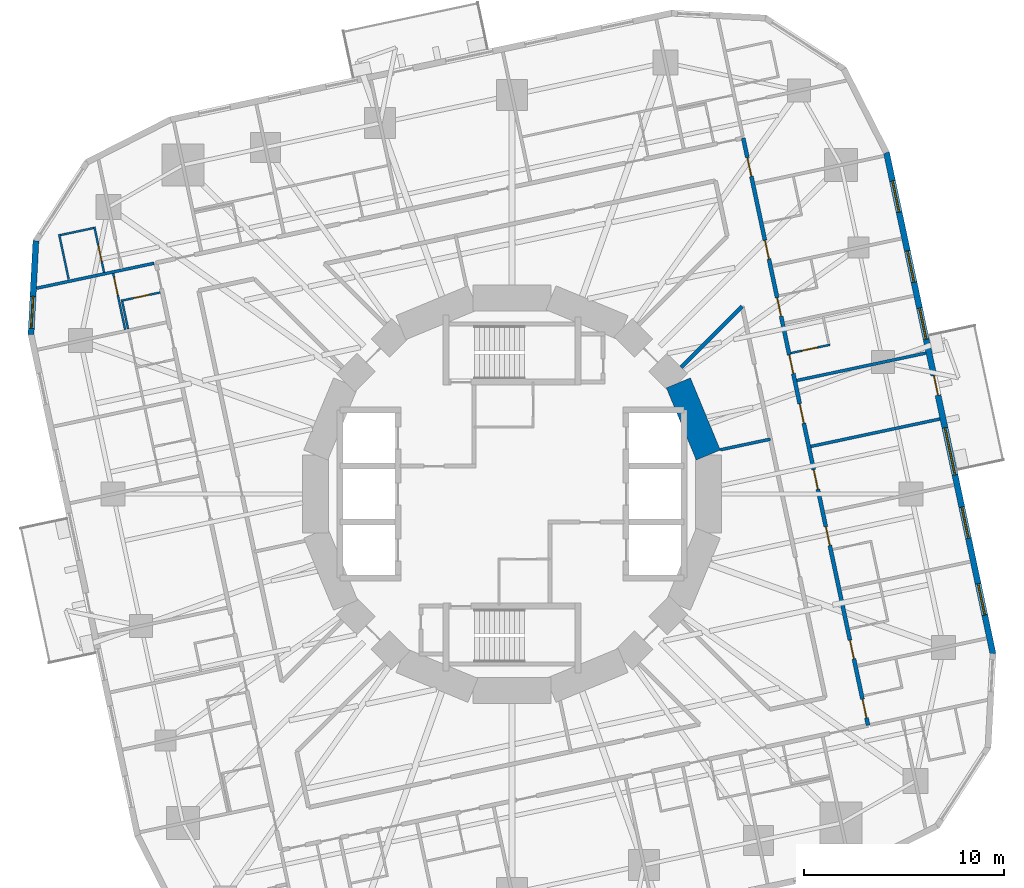
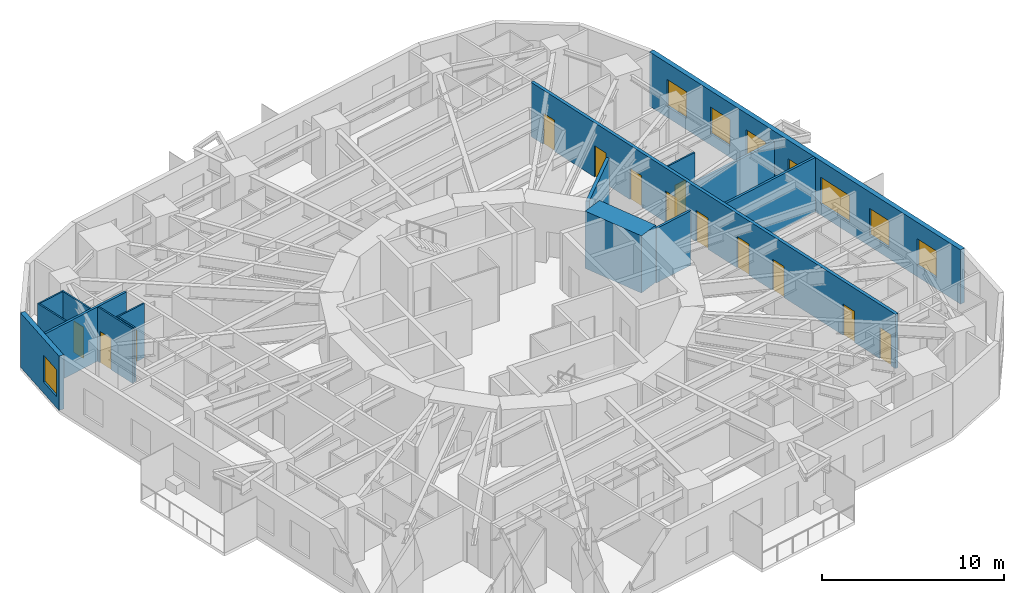
# One storey, part 9 of 14: 16 walls, 14 doors, 7 windows, 21 openings.
"""IFC4 building model written with IfcOpenShell, lengths in metres."""

import ifcopenshell
import ifcopenshell.guid

model = None  # the IFC model being written
_history = None  # IfcOwnerHistory: only IFC2X3 demands one
_inside = {}  # id of a spatial element -> (the spatial element, [elements in it])
_under = {}  # id of a project, library or spatial element -> (it, [spatial elements below it])
_declared = {}  # id of a project -> (the project, [libraries it declares])
_typed = {}  # id of a type object -> (the type object, [elements of that type])
_made_of = {}  # id of a material, layer set ... -> (it, [elements and type objects made of it])


def new_model(schema):
    """Start an empty IFC model of exactly this schema.

    Asked for "IFC4X3", IfcOpenShell would pick the latest addendum, in which some entities
    have other attributes; the version numbers below select the first issue.
    IFC2X3 requires an IfcOwnerHistory on every rooted entity: one is made here for all.
    """
    global model, _history
    if schema == "IFC4X3":
        model = ifcopenshell.file(schema_version=(4, 3, 0, 0))
    else:
        model = ifcopenshell.file(schema=schema)
    _inside.clear()
    _under.clear()
    _declared.clear()
    _typed.clear()
    _made_of.clear()
    _history = None
    if model.schema == "IFC2X3":
        org = make("IfcOrganization", Name="unknown")
        user = make(
            "IfcPersonAndOrganization",
            ThePerson=make("IfcPerson", FamilyName="unknown"),
            TheOrganization=org,
        )
        app = make(
            "IfcApplication",
            ApplicationDeveloper=org,
            Version="unknown",
            ApplicationFullName="unknown",
            ApplicationIdentifier="unknown",
        )
        _history = make(
            "IfcOwnerHistory",
            OwningUser=user,
            OwningApplication=app,
            ChangeAction="ADDED",
            CreationDate=0,
        )
    return model


def make(cls, **values):
    """One entity of the class cls with the attributes given. An attribute that is None is left unset."""
    return model.create_entity(
        cls, **{name: value for name, value in values.items() if value is not None}
    )


def rooted(cls, **values):
    """An entity with a GlobalId (a new one), such as an element, a storey or a relation."""
    return make(cls, GlobalId=ifcopenshell.guid.new(), OwnerHistory=_history, **values)


def si_unit(unit_type, name, prefix=None):
    """IfcSIUnit, for example si_unit("LENGTHUNIT", "METRE", prefix="MILLI")."""
    return make("IfcSIUnit", UnitType=unit_type, Prefix=prefix, Name=name)


def assignment(units):
    """IfcUnitAssignment: the units of a project."""
    return None if units is None else make("IfcUnitAssignment", Units=units)


def point(xyz):
    """IfcCartesianPoint."""
    return None if xyz is None else make("IfcCartesianPoint", Coordinates=xyz)


def direction(xyz):
    """IfcDirection."""
    return None if xyz is None else make("IfcDirection", DirectionRatios=xyz)


def frame(location, z_axis=None, x_axis=None):
    """IfcAxis2Placement3D, a coordinate frame: its origin and axes. An axis left out is left unset."""
    return make(
        "IfcAxis2Placement3D",
        Location=point(location),
        Axis=direction(z_axis),
        RefDirection=direction(x_axis),
    )


def frame_2d(location, x_axis=None):
    """IfcAxis2Placement2D, a coordinate frame in the plane: its origin and x axis."""
    return make(
        "IfcAxis2Placement2D", Location=point(location), RefDirection=direction(x_axis)
    )


def origin():
    """The frame at (0, 0, 0) with its axes left unset."""
    return frame((0.0, 0.0, 0.0))


def place(relative_to, where):
    """IfcLocalPlacement: puts the frame where relative to a parent placement (None: the world)."""
    return make(
        "IfcLocalPlacement", PlacementRelTo=relative_to, RelativePlacement=where
    )


def context(
    kind, dimensions, precision=None, world=None, true_north=None, identifier=None
):
    """IfcGeometricRepresentationContext, for example the 3D "Model" context."""
    return make(
        "IfcGeometricRepresentationContext",
        ContextIdentifier=identifier,
        ContextType=kind,
        CoordinateSpaceDimension=dimensions,
        Precision=precision,
        WorldCoordinateSystem=world,
        TrueNorth=true_north,
    )


def subcontext(parent, identifier, kind, view, scale=None):
    """IfcGeometricRepresentationSubContext, for example "Body" below "Model"."""
    return make(
        "IfcGeometricRepresentationSubContext",
        ContextIdentifier=identifier,
        ContextType=kind,
        ParentContext=parent,
        TargetScale=scale,
        TargetView=view,
    )


def project(units=None, contexts=None):
    """IfcProject with its units and contexts."""
    return rooted(
        "IfcProject",
        Name="project",
        RepresentationContexts=contexts,
        UnitsInContext=assignment(units),
    )


def spatial(cls, under=None, at=None, **own):
    """A site, building, storey or space (cls), placed at a placement, below another one or the project."""
    s = rooted(cls, ObjectPlacement=at, **own)
    if under is not None:
        _under.setdefault(under.id(), (under, []))[1].append(s)
    return s


def profile(cls, at=None, kind="AREA", **sizes):
    """A parametric profile (cls). Its sizes go by their IFC names, for example OverallWidth=200.0."""
    return make(cls, ProfileType=kind, Position=at, **sizes)


def rectangle(**sizes):
    """IfcRectangleProfileDef."""
    return profile("IfcRectangleProfileDef", **sizes)


def extrude(swept, where, along, depth):
    """IfcExtrudedAreaSolid: the profile swept, set in the frame where, extruded along a direction by depth."""
    return make(
        "IfcExtrudedAreaSolid",
        SweptArea=swept,
        Position=where,
        ExtrudedDirection=direction(along),
        Depth=depth,
    )


def shape(context_of_items, identifier, shape_type, items):
    """IfcShapeRepresentation: the items that make up one representation, for example the "Body"."""
    return make(
        "IfcShapeRepresentation",
        ContextOfItems=context_of_items,
        RepresentationIdentifier=identifier,
        RepresentationType=shape_type,
        Items=items,
    )


def material(Name=None, Category=None):
    """IfcMaterial."""
    return make("IfcMaterial", Name=Name, Category=Category)


def layer(
    of_material, thickness, ventilated=None, Name=None, Category=None, Priority=None
):
    """IfcMaterialLayer: one layer of a wall or slab, of a material (None: an air gap)."""
    return make(
        "IfcMaterialLayer",
        Material=of_material,
        LayerThickness=thickness,
        IsVentilated=ventilated,
        Name=Name,
        Category=Category,
        Priority=Priority,
    )


def layer_set(layers, Name=None):
    """IfcMaterialLayerSet."""
    return make("IfcMaterialLayerSet", MaterialLayers=layers, LayerSetName=Name)


def made_of(thing, what):
    """Note that an element or type object is made of a material, layer set ...; save() writes the relation."""
    if what is not None:
        _made_of.setdefault(what.id(), (what, []))[1].append(thing)
    return thing


def type_object(cls, material=None, **own):
    """A type object (cls), such as IfcWallType, which elements share."""
    return made_of(rooted(cls, **own), material)


def element(
    cls,
    number,
    at=None,
    inside=None,
    cuts=None,
    type_object=None,
    material=None,
    context=None,
    identifier="Body",
    shape_type=None,
    held_by="IfcProductDefinitionShape",
    body=None,
    shapes=None,
    **own,
):
    """One element of the class cls, such as IfcWall. Its Tag is "e" and its number.

    at: its placement. inside: the storey or other place that contains it. cuts: it is an
    opening in that element (IfcRelVoidsElement). A single representation is given by context,
    identifier, shape_type and body (its items); several are given by shapes. held_by: the class
    of the entity that holds the representations. save() writes the other relations.
    """
    e = rooted(cls, Tag="e%d" % number, ObjectPlacement=at, **own)
    if body is not None:
        shapes = [shape(context, identifier, shape_type, body)]
    if shapes is not None:
        e.Representation = make(held_by, Representations=shapes)
    if inside is not None:
        _inside.setdefault(inside.id(), (inside, []))[1].append(e)
    if cuts is not None:
        rooted(
            "IfcRelVoidsElement", RelatingBuildingElement=cuts, RelatedOpeningElement=e
        )
    if type_object is not None:
        _typed.setdefault(type_object.id(), (type_object, []))[1].append(e)
    return made_of(e, material)


def fill(opening, filler):
    """IfcRelFillsElement: the door or window that sits in an opening."""
    return rooted(
        "IfcRelFillsElement",
        RelatingOpeningElement=opening,
        RelatedBuildingElement=filler,
    )


def aggregate(whole, parts):
    """IfcRelAggregates: a whole, such as a stair, and the parts it consists of."""
    return rooted("IfcRelAggregates", RelatingObject=whole, RelatedObjects=parts)


def save(model, path):
    """Write the relations noted so far, then the file.

    IfcRelAggregates (storeys below a building ...), IfcRelContainedInSpatialStructure (elements
    in a storey), IfcRelDefinesByType, IfcRelAssociatesMaterial and IfcRelDeclares: one each for
    every whole, place, type object, material and project.
    """
    for whole, parts in _under.values():
        aggregate(whole, parts)
    for where, things in _inside.values():
        rooted(
            "IfcRelContainedInSpatialStructure",
            RelatedElements=things,
            RelatingStructure=where,
        )
    for kind, things in _typed.values():
        rooted("IfcRelDefinesByType", RelatedObjects=things, RelatingType=kind)
    for what, things in _made_of.values():
        rooted("IfcRelAssociatesMaterial", RelatedObjects=things, RelatingMaterial=what)
    for by, libraries in _declared.values():
        rooted("IfcRelDeclares", RelatingContext=by, RelatedDefinitions=libraries)
    model.write(path)


model = new_model("IFC4")

# Units and contexts
model_context = context("Model", 3, precision=1e-05, world=origin(), true_north=direction((0.0, 1.0)))
body_context = subcontext(model_context, "Body", "Model", "MODEL_VIEW")
ifc_project = project(units=[si_unit("LENGTHUNIT", "METRE"), si_unit("AREAUNIT", "SQUARE_METRE"), si_unit("VOLUMEUNIT", "CUBIC_METRE"), si_unit("PLANEANGLEUNIT", "RADIAN"), si_unit("MASSUNIT", "GRAM", prefix="KILO")], contexts=[model_context])

# Site, building, storey
site_placement = place(None, origin())
site = spatial("IfcSite", under=ifc_project, at=site_placement, CompositionType="ELEMENT")
building_placement = place(site_placement, origin())
building = spatial("IfcBuilding", under=site, at=building_placement, Name="Nakasero Lantern House", CompositionType="ELEMENT")
storey_placement = place(building_placement, frame((0.0, 0.0, 124.25)))
storey = spatial("IfcBuildingStorey", under=building, at=storey_placement, Name="L30", CompositionType="ELEMENT", Elevation=124.25)

# Wall
ifc_material_1 = material(Name="Concrete C50/60", Category="concrete")
ifc_layer_1 = layer(ifc_material_1, 1.300048828125)
ifc_layer_set_1 = layer_set([ifc_layer_1], Name="Core wall 1300")
wall_type_1 = type_object("IfcWallType", Name="Core wall 1300", PredefinedType="SHEAR", material=ifc_layer_set_1)
wall_1_placement = place(storey_placement, frame((9.807861328125, 1.950927734375, 0.0), z_axis=(0.0, 0.0, 1.0), x_axis=(-0.382690736062, 0.923876507187, 0.0)))
element("IfcWall", 1, at=wall_1_placement, inside=storey, type_object=wall_type_1, Name="Core wall L30 facet 1", PredefinedType="SHEAR", context=body_context, shape_type="SweptSolid", body=[
    extrude(rectangle(XDim=3.90185546875, YDim=1.300048828125, at=frame_2d((1.950927734375, 0.0))), origin(), (0.0, 0.0, 1.0), 3.85009765625),
])

# Wall, openings, doors
ifc_material_2 = material(Name="Blockwork", Category="masonry")
ifc_layer_2 = layer(ifc_material_2, 0.199951171875)
ifc_layer_set_2 = layer_set([ifc_layer_2], Name="Corridor wall 200")
wall_type_2 = type_object("IfcWallType", Name="Corridor wall 200", PredefinedType="PARTITIONING", material=ifc_layer_set_2)
wall_2_placement = place(storey_placement, frame((17.790771484375, -11.553466796875, 0.0), z_axis=(0.0, 0.0, 1.0), x_axis=(-0.207911508826, 0.978147639417, 0.0)))
wall_2 = element("IfcWall", 2, at=wall_2_placement, inside=storey, type_object=wall_type_2, Name="Corridor wall L30 CW0", PredefinedType="PARTITIONING", context=body_context, shape_type="SweptSolid", body=[
    extrude(rectangle(XDim=29.999755859375, YDim=0.199951171875, at=frame_2d((15.0, 0.0))), origin(), (0.0, 0.0, 1.0), 3.64990234375),
])
opening_1_placement = place(wall_2_placement, frame((0.375, 0.0, 0.0)))
opening_1 = element("IfcOpeningElement", 3, at=opening_1_placement, cuts=wall_2, Name="Opening D01", PredefinedType="OPENING", context=body_context, shape_type="SweptSolid", body=[
    extrude(rectangle(XDim=0.949951171875, YDim=2.10009765625, at=frame_2d((0.47509765625, 1.050048828125))), frame((0.0, 0.119873046875, 0.0), z_axis=(0.0, -1.0, 0.0), x_axis=(1.0, 0.0, 0.0)), (0.0, 0.0, 1.0), 0.239990234375),
])
opening_2_placement = place(wall_2_placement, frame((3.39111328125, 0.0, 0.0)))
opening_2 = element("IfcOpeningElement", 4, at=opening_2_placement, cuts=wall_2, Name="Opening D01", PredefinedType="OPENING", context=body_context, shape_type="SweptSolid", body=[
    extrude(rectangle(XDim=0.949951171875, YDim=2.10009765625, at=frame_2d((0.47509765625, 1.050048828125))), frame((0.0, 0.119873046875, 0.0), z_axis=(0.0, -1.0, 0.0), x_axis=(1.0, 0.0, 0.0)), (0.0, 0.0, 1.0), 0.239990234375),
])
opening_3_placement = place(wall_2_placement, frame((9.185546875, 0.0, 0.0)))
opening_3 = element("IfcOpeningElement", 5, at=opening_3_placement, cuts=wall_2, Name="Opening D01", PredefinedType="OPENING", context=body_context, shape_type="SweptSolid", body=[
    extrude(rectangle(XDim=0.949951171875, YDim=2.10009765625, at=frame_2d((0.47509765625, 1.050048828125))), frame((0.0, 0.119873046875, 0.0), z_axis=(0.0, -1.0, 0.0), x_axis=(1.0, 0.0, 0.0)), (0.0, 0.0, 1.0), 0.239990234375),
])
opening_4_placement = place(wall_2_placement, frame((17.967529296875, 0.0, 0.0)))
opening_4 = element("IfcOpeningElement", 6, at=opening_4_placement, cuts=wall_2, Name="Opening D01", PredefinedType="OPENING", context=body_context, shape_type="SweptSolid", body=[
    extrude(rectangle(XDim=0.949951171875, YDim=2.10009765625, at=frame_2d((0.47509765625, 1.050048828125))), frame((0.0, 0.119873046875, 0.0), z_axis=(0.0, -1.0, 0.0), x_axis=(1.0, 0.0, 0.0)), (0.0, 0.0, 1.0), 0.239990234375),
])
opening_5_placement = place(wall_2_placement, frame((20.89404296875, 0.0, 0.0)))
opening_5 = element("IfcOpeningElement", 7, at=opening_5_placement, cuts=wall_2, Name="Opening D01", PredefinedType="OPENING", context=body_context, shape_type="SweptSolid", body=[
    extrude(rectangle(XDim=0.949951171875, YDim=2.10009765625, at=frame_2d((0.47509765625, 1.050048828125))), frame((0.0, 0.119873046875, 0.0), z_axis=(0.0, -1.0, 0.0), x_axis=(1.0, 0.0, 0.0)), (0.0, 0.0, 1.0), 0.239990234375),
])
opening_6_placement = place(wall_2_placement, frame((23.8203125, 0.0, 0.0)))
opening_6 = element("IfcOpeningElement", 8, at=opening_6_placement, cuts=wall_2, Name="Opening D01", PredefinedType="OPENING", context=body_context, shape_type="SweptSolid", body=[
    extrude(rectangle(XDim=0.949951171875, YDim=2.10009765625, at=frame_2d((0.47509765625, 1.050048828125))), frame((0.0, 0.119873046875, 0.0), z_axis=(0.0, -1.0, 0.0), x_axis=(1.0, 0.0, 0.0)), (0.0, 0.0, 1.0), 0.239990234375),
])
opening_7_placement = place(wall_2_placement, frame((28.038330078125, 0.0, 0.0)))
opening_7 = element("IfcOpeningElement", 9, at=opening_7_placement, cuts=wall_2, Name="Opening D01", PredefinedType="OPENING", context=body_context, shape_type="SweptSolid", body=[
    extrude(rectangle(XDim=0.949951171875, YDim=2.10009765625, at=frame_2d((0.47509765625, 1.050048828125))), frame((0.0, 0.119873046875, 0.0), z_axis=(0.0, -1.0, 0.0), x_axis=(1.0, 0.0, 0.0)), (0.0, 0.0, 1.0), 0.239990234375),
])
opening_8_placement = place(wall_2_placement, frame((12.05517578125, 0.0, 0.0)))
opening_8 = element("IfcOpeningElement", 10, at=opening_8_placement, cuts=wall_2, Name="Opening D03", PredefinedType="OPENING", context=body_context, shape_type="SweptSolid", body=[
    extrude(rectangle(XDim=1.0, YDim=2.10009765625, at=frame_2d((0.5, 1.050048828125))), frame((0.0, 0.119873046875, 0.0), z_axis=(0.0, -1.0, 0.0), x_axis=(1.0, 0.0, 0.0)), (0.0, 0.0, 1.0), 0.239990234375),
])
opening_9_placement = place(wall_2_placement, frame((15.423828125, 0.0, 0.0)))
opening_9 = element("IfcOpeningElement", 11, at=opening_9_placement, cuts=wall_2, Name="Opening D03", PredefinedType="OPENING", context=body_context, shape_type="SweptSolid", body=[
    extrude(rectangle(XDim=1.0, YDim=2.10009765625, at=frame_2d((0.5, 1.050048828125))), frame((0.0, 0.119873046875, 0.0), z_axis=(0.0, -1.0, 0.0), x_axis=(1.0, 0.0, 0.0)), (0.0, 0.0, 1.0), 0.239990234375),
])
ifc_material_3 = material(Name="Timber C24", Category="wood")
door_type_1 = type_object("IfcDoorType", Name="Bedroom door FD30S 950", OperationType="SINGLE_SWING_LEFT", PredefinedType="DOOR", material=ifc_material_3)
door_1_placement = place(opening_1_placement, origin())
door_1 = element("IfcDoor", 12, at=door_1_placement, inside=storey, type_object=door_type_1, Name="Door L30 D0-00", OperationType="SINGLE_SWING_LEFT", OverallHeight=2.10009765625, OverallWidth=0.949951171875, PredefinedType="DOOR", context=body_context, shape_type="SweptSolid", body=[
    extrude(rectangle(XDim=0.949951171875, YDim=2.10009765625, at=frame_2d((0.47509765625, 1.050048828125))), frame((0.0, 0.02490234375, 0.0), z_axis=(0.0, -1.0, 0.0), x_axis=(1.0, 0.0, 0.0)), (0.0, 0.0, 1.0), 0.050048828125),
])
fill(opening_1, door_1)
door_2_placement = place(opening_2_placement, origin())
door_2 = element("IfcDoor", 13, at=door_2_placement, inside=storey, type_object=door_type_1, Name="Door L30 D0-01", OperationType="SINGLE_SWING_LEFT", OverallHeight=2.10009765625, OverallWidth=0.949951171875, PredefinedType="DOOR", context=body_context, shape_type="SweptSolid", body=[
    extrude(rectangle(XDim=0.949951171875, YDim=2.10009765625, at=frame_2d((0.47509765625, 1.050048828125))), frame((0.0, 0.02490234375, 0.0), z_axis=(0.0, -1.0, 0.0), x_axis=(1.0, 0.0, 0.0)), (0.0, 0.0, 1.0), 0.050048828125),
])
fill(opening_2, door_2)
door_3_placement = place(opening_3_placement, origin())
door_3 = element("IfcDoor", 14, at=door_3_placement, inside=storey, type_object=door_type_1, Name="Door L30 D0-02", OperationType="SINGLE_SWING_LEFT", OverallHeight=2.10009765625, OverallWidth=0.949951171875, PredefinedType="DOOR", context=body_context, shape_type="SweptSolid", body=[
    extrude(rectangle(XDim=0.949951171875, YDim=2.10009765625, at=frame_2d((0.47509765625, 1.050048828125))), frame((0.0, 0.02490234375, 0.0), z_axis=(0.0, -1.0, 0.0), x_axis=(1.0, 0.0, 0.0)), (0.0, 0.0, 1.0), 0.050048828125),
])
fill(opening_3, door_3)
door_4_placement = place(opening_4_placement, origin())
door_4 = element("IfcDoor", 15, at=door_4_placement, inside=storey, type_object=door_type_1, Name="Door L30 D0-05", OperationType="SINGLE_SWING_RIGHT", OverallHeight=2.10009765625, OverallWidth=0.949951171875, PredefinedType="DOOR", context=body_context, shape_type="SweptSolid", body=[
    extrude(rectangle(XDim=0.949951171875, YDim=2.10009765625, at=frame_2d((0.47509765625, 1.050048828125))), frame((0.0, 0.02490234375, 0.0), z_axis=(0.0, -1.0, 0.0), x_axis=(1.0, 0.0, 0.0)), (0.0, 0.0, 1.0), 0.050048828125),
])
fill(opening_4, door_4)
door_5_placement = place(opening_5_placement, origin())
door_5 = element("IfcDoor", 16, at=door_5_placement, inside=storey, type_object=door_type_1, Name="Door L30 D0-06", OperationType="SINGLE_SWING_RIGHT", OverallHeight=2.10009765625, OverallWidth=0.949951171875, PredefinedType="DOOR", context=body_context, shape_type="SweptSolid", body=[
    extrude(rectangle(XDim=0.949951171875, YDim=2.10009765625, at=frame_2d((0.47509765625, 1.050048828125))), frame((0.0, 0.02490234375, 0.0), z_axis=(0.0, -1.0, 0.0), x_axis=(1.0, 0.0, 0.0)), (0.0, 0.0, 1.0), 0.050048828125),
])
fill(opening_5, door_5)
door_6_placement = place(opening_6_placement, origin())
door_6 = element("IfcDoor", 17, at=door_6_placement, inside=storey, type_object=door_type_1, Name="Door L30 D0-07", OperationType="SINGLE_SWING_RIGHT", OverallHeight=2.10009765625, OverallWidth=0.949951171875, PredefinedType="DOOR", context=body_context, shape_type="SweptSolid", body=[
    extrude(rectangle(XDim=0.949951171875, YDim=2.10009765625, at=frame_2d((0.47509765625, 1.050048828125))), frame((0.0, 0.02490234375, 0.0), z_axis=(0.0, -1.0, 0.0), x_axis=(1.0, 0.0, 0.0)), (0.0, 0.0, 1.0), 0.050048828125),
])
fill(opening_6, door_6)
door_7_placement = place(opening_7_placement, origin())
door_7 = element("IfcDoor", 18, at=door_7_placement, inside=storey, type_object=door_type_1, Name="Door L30 D0-08", OperationType="SINGLE_SWING_RIGHT", OverallHeight=2.10009765625, OverallWidth=0.949951171875, PredefinedType="DOOR", context=body_context, shape_type="SweptSolid", body=[
    extrude(rectangle(XDim=0.949951171875, YDim=2.10009765625, at=frame_2d((0.47509765625, 1.050048828125))), frame((0.0, 0.02490234375, 0.0), z_axis=(0.0, -1.0, 0.0), x_axis=(1.0, 0.0, 0.0)), (0.0, 0.0, 1.0), 0.050048828125),
])
fill(opening_7, door_7)
ifc_material_4 = material(Name="Timber C24", Category="wood")
door_type_2 = type_object("IfcDoorType", Name="Lounge door FD30S 1000", OperationType="SINGLE_SWING_LEFT", PredefinedType="DOOR", material=ifc_material_4)
door_8_placement = place(opening_8_placement, origin())
door_8 = element("IfcDoor", 19, at=door_8_placement, inside=storey, type_object=door_type_2, Name="Door L30 DK0", OperationType="SINGLE_SWING_LEFT", OverallHeight=2.10009765625, OverallWidth=1.0, PredefinedType="DOOR", context=body_context, shape_type="SweptSolid", body=[
    extrude(rectangle(XDim=1.0, YDim=2.10009765625, at=frame_2d((0.5, 1.050048828125))), frame((0.0, 0.02490234375, 0.0), z_axis=(0.0, -1.0, 0.0), x_axis=(1.0, 0.0, 0.0)), (0.0, 0.0, 1.0), 0.050048828125),
])
fill(opening_8, door_8)
door_9_placement = place(opening_9_placement, origin())
door_9 = element("IfcDoor", 20, at=door_9_placement, inside=storey, type_object=door_type_2, Name="Door L30 DK0-1", OperationType="SINGLE_SWING_RIGHT", OverallHeight=2.10009765625, OverallWidth=1.0, PredefinedType="DOOR", context=body_context, shape_type="SweptSolid", body=[
    extrude(rectangle(XDim=1.0, YDim=2.10009765625, at=frame_2d((0.5, 1.050048828125))), frame((0.0, 0.02490234375, 0.0), z_axis=(0.0, -1.0, 0.0), x_axis=(1.0, 0.0, 0.0)), (0.0, 0.0, 1.0), 0.050048828125),
])
fill(opening_9, door_9)

# Wall
wall_3_placement = place(storey_placement, frame((8.45556640625, 6.334228515625, 0.0), z_axis=(0.0, 0.0, 1.0), x_axis=(0.707106781187, 0.707106781187, 0.0)))
element("IfcWall", 21, at=wall_3_placement, inside=storey, type_object=wall_type_2, Name="Corridor wall L30 PS02b", PredefinedType="PARTITIONING", context=body_context, shape_type="SweptSolid", body=[
    extrude(rectangle(XDim=4.30712890625, YDim=0.199951171875, at=frame_2d((2.153564453125, 0.0))), origin(), (0.0, 0.0, 1.0), 3.64990234375),
])

# Wall, opening, door
ifc_material_5 = material(Name="Blockwork", Category="masonry")
ifc_layer_3 = layer(ifc_material_5, 0.10009765625)
ifc_layer_set_3 = layer_set([ifc_layer_3], Name="En-suite wall 100")
wall_type_3 = type_object("IfcWallType", Name="En-suite wall 100", PredefinedType="PARTITIONING", material=ifc_layer_set_3)
wall_4_placement = place(storey_placement, frame((13.939697265625, 7.046142578125, 0.0), z_axis=(0.0, 0.0, 1.0), x_axis=(0.978152955943, 0.207886494942, 0.0)))
wall_4 = element("IfcWall", 22, at=wall_4_placement, inside=storey, type_object=wall_type_3, Name="En-suite wall L30 ES0-05", PredefinedType="PARTITIONING", context=body_context, shape_type="SweptSolid", body=[
    extrude(rectangle(XDim=2.0, YDim=0.10009765625, at=frame_2d((1.0, 0.0))), origin(), (0.0, 0.0, 1.0), 3.64990234375),
])
opening_10_placement = place(wall_4_placement, frame((0.550048828125, 0.0, 0.0)))
opening_10 = element("IfcOpeningElement", 23, at=opening_10_placement, cuts=wall_4, Name="Opening D02", PredefinedType="OPENING", context=body_context, shape_type="SweptSolid", body=[
    extrude(rectangle(XDim=0.800048828125, YDim=2.10009765625, at=frame_2d((0.39990234375, 1.050048828125))), frame((0.0, 0.070068359375, 0.0), z_axis=(0.0, -1.0, 0.0), x_axis=(1.0, 0.0, 0.0)), (0.0, 0.0, 1.0), 0.14013671875),
])
ifc_material_6 = material(Name="Timber C24", Category="wood")
door_type_3 = type_object("IfcDoorType", Name="En-suite door 800", OperationType="SINGLE_SWING_RIGHT", PredefinedType="DOOR", material=ifc_material_6)
door_10_placement = place(opening_10_placement, origin())
door_10 = element("IfcDoor", 24, at=door_10_placement, inside=storey, type_object=door_type_3, Name="Door L30 DE0-05", OperationType="SINGLE_SWING_LEFT", OverallHeight=2.10009765625, OverallWidth=0.800048828125, PredefinedType="DOOR", context=body_context, shape_type="SweptSolid", body=[
    extrude(rectangle(XDim=0.800048828125, YDim=2.10009765625, at=frame_2d((0.39990234375, 1.050048828125))), frame((0.0, 0.02490234375, 0.0), z_axis=(0.0, -1.0, 0.0), x_axis=(1.0, 0.0, 0.0)), (0.0, 0.0, 1.0), 0.050048828125),
])
fill(opening_10, door_10)

wall_5_placement = place(storey_placement, frame((-20.382568359375, 11.069091796875, 0.0), z_axis=(0.0, 0.0, 1.0), x_axis=(-0.207965047255, 0.978136257952, 0.0)))
wall_5 = element("IfcWall", 25, at=wall_5_placement, inside=storey, type_object=wall_type_3, Name="En-suite wall L30 ES1-08", PredefinedType="PARTITIONING", context=body_context, shape_type="SweptSolid", body=[
    extrude(rectangle(XDim=2.3349609375, YDim=0.10009765625, at=frame_2d((1.16748046875, 0.0))), origin(), (0.0, 0.0, 1.0), 3.64990234375),
])
opening_11_placement = place(wall_5_placement, frame((0.5849609375, 0.0, 0.0)))
opening_11 = element("IfcOpeningElement", 26, at=opening_11_placement, cuts=wall_5, Name="Opening D02", PredefinedType="OPENING", context=body_context, shape_type="SweptSolid", body=[
    extrude(rectangle(XDim=0.800048828125, YDim=2.10009765625, at=frame_2d((0.39990234375, 1.050048828125))), frame((0.0, 0.070068359375, 0.0), z_axis=(0.0, -1.0, 0.0), x_axis=(1.0, 0.0, 0.0)), (0.0, 0.0, 1.0), 0.14013671875),
])
door_11_placement = place(opening_11_placement, origin())
door_11 = element("IfcDoor", 27, at=door_11_placement, inside=storey, type_object=door_type_3, Name="Door L30 DE1-08", OperationType="SINGLE_SWING_LEFT", OverallHeight=2.10009765625, OverallWidth=0.800048828125, PredefinedType="DOOR", context=body_context, shape_type="SweptSolid", body=[
    extrude(rectangle(XDim=0.800048828125, YDim=2.10009765625, at=frame_2d((0.39990234375, 1.050048828125))), frame((0.0, 0.02490234375, 0.0), z_axis=(0.0, -1.0, 0.0), x_axis=(1.0, 0.0, 0.0)), (0.0, 0.0, 1.0), 0.050048828125),
])
fill(opening_11, door_11)

# Walls
wall_6_placement = place(storey_placement, frame((-20.906494140625, 13.293701171875, 0.0), z_axis=(0.0, 0.0, 1.0), x_axis=(-0.978168704767, -0.207812379357, 0.0)))
element("IfcWall", 28, at=wall_6_placement, inside=storey, type_object=wall_type_3, Name="En-suite wall L30 EE1-08", PredefinedType="PARTITIONING", context=body_context, shape_type="SweptSolid", body=[
    extrude(rectangle(XDim=1.699951171875, YDim=0.10009765625, at=frame_2d((0.85009765625, 0.0))), origin(), (0.0, 0.0, 1.0), 3.64990234375),
])
wall_7_placement = place(storey_placement, frame((-22.150634765625, 10.72900390625, 0.0), z_axis=(0.0, 0.0, 1.0), x_axis=(-0.207839712757, 0.978162897375, 0.0)))
element("IfcWall", 29, at=wall_7_placement, inside=storey, type_object=wall_type_3, Name="En-suite wall L30 EV1-08", PredefinedType="PARTITIONING", context=body_context, shape_type="SweptSolid", body=[
    extrude(rectangle(XDim=2.300048828125, YDim=0.10009765625, at=frame_2d((1.14990234375, 0.0))), origin(), (0.0, 0.0, 1.0), 3.64990234375),
])

# Wall, opening, door
wall_8_placement = place(storey_placement, frame((-17.57861328125, 10.07421875, 0.0), z_axis=(0.0, 0.0, 1.0), x_axis=(-0.978152955943, -0.207886494942, 0.0)))
wall_8 = element("IfcWall", 30, at=wall_8_placement, inside=storey, type_object=wall_type_3, Name="En-suite wall L30 ES2-00", PredefinedType="PARTITIONING", context=body_context, shape_type="SweptSolid", body=[
    extrude(rectangle(XDim=2.0, YDim=0.10009765625, at=frame_2d((1.0, 0.0))), origin(), (0.0, 0.0, 1.0), 3.64990234375),
])
opening_12_placement = place(wall_8_placement, frame((0.550048828125, 0.0, 0.0)))
opening_12 = element("IfcOpeningElement", 31, at=opening_12_placement, cuts=wall_8, Name="Opening D02", PredefinedType="OPENING", context=body_context, shape_type="SweptSolid", body=[
    extrude(rectangle(XDim=0.800048828125, YDim=2.10009765625, at=frame_2d((0.39990234375, 1.050048828125))), frame((0.0, 0.070068359375, 0.0), z_axis=(0.0, -1.0, 0.0), x_axis=(1.0, 0.0, 0.0)), (0.0, 0.0, 1.0), 0.14013671875),
])
door_12_placement = place(opening_12_placement, origin())
door_12 = element("IfcDoor", 32, at=door_12_placement, inside=storey, type_object=door_type_3, Name="Door L30 DE2-00", OperationType="SINGLE_SWING_LEFT", OverallHeight=2.10009765625, OverallWidth=0.800048828125, PredefinedType="DOOR", context=body_context, shape_type="SweptSolid", body=[
    extrude(rectangle(XDim=0.800048828125, YDim=2.10009765625, at=frame_2d((0.39990234375, 1.050048828125))), frame((0.0, 0.02490234375, 0.0), z_axis=(0.0, -1.0, 0.0), x_axis=(1.0, 0.0, 0.0)), (0.0, 0.0, 1.0), 0.050048828125),
])
fill(opening_12, door_12)

# Wall
wall_9_placement = place(storey_placement, frame((-19.4755859375, 9.619873046875, 0.0), z_axis=(0.0, 0.0, 1.0), x_axis=(0.207873355681, -0.978155748334, 0.0)))
element("IfcWall", 33, at=wall_9_placement, inside=storey, type_object=wall_type_3, Name="En-suite wall L30 EE2-00", PredefinedType="PARTITIONING", context=body_context, shape_type="SweptSolid", body=[
    extrude(rectangle(XDim=1.39990234375, YDim=0.10009765625, at=frame_2d((0.699951171875, 0.0))), origin(), (0.0, 0.0, 1.0), 3.64990234375),
])

# Wall, opening, door
wall_10_placement = place(storey_placement, frame((-19.92724609375, 11.022705078125, 0.0), z_axis=(0.0, 0.0, 1.0), x_axis=(0.207929050419, -0.978143910676, 0.0)))
wall_10 = element("IfcWall", 34, at=wall_10_placement, inside=storey, type_object=wall_type_3, Name="En-suite wall L30 EL2-00", PredefinedType="PARTITIONING", context=body_context, shape_type="SweptSolid", body=[
    extrude(rectangle(XDim=2.8662109375, YDim=0.10009765625, at=frame_2d((1.43310546875, 0.0))), origin(), (0.0, 0.0, 1.0), 3.64990234375),
])
opening_13_placement = place(wall_10_placement, frame((0.199951171875, 0.0, 0.0)))
opening_13 = element("IfcOpeningElement", 35, at=opening_13_placement, cuts=wall_10, Name="Opening D17", PredefinedType="OPENING", context=body_context, shape_type="SweptSolid", body=[
    extrude(rectangle(XDim=0.89990234375, YDim=2.10009765625, at=frame_2d((0.449951171875, 1.050048828125))), frame((0.0, 0.070068359375, 0.0), z_axis=(0.0, -1.0, 0.0), x_axis=(1.0, 0.0, 0.0)), (0.0, 0.0, 1.0), 0.14013671875),
])
ifc_material_7 = material(Name="Timber C24", Category="wood")
door_type_4 = type_object("IfcDoorType", Name="Bedroom door FD30S 900", OperationType="SINGLE_SWING_LEFT", PredefinedType="DOOR", material=ifc_material_7)
door_13_placement = place(opening_13_placement, origin())
door_13 = element("IfcDoor", 36, at=door_13_placement, inside=storey, type_object=door_type_4, Name="Door L30 DL2-00", OperationType="SINGLE_SWING_LEFT", OverallHeight=2.10009765625, OverallWidth=0.89990234375, PredefinedType="DOOR", context=body_context, shape_type="SweptSolid", body=[
    extrude(rectangle(XDim=0.89990234375, YDim=2.10009765625, at=frame_2d((0.449951171875, 1.050048828125))), frame((0.0, 0.02490234375, 0.0), z_axis=(0.0, -1.0, 0.0), x_axis=(1.0, 0.0, 0.0)), (0.0, 0.0, 1.0), 0.050048828125),
])
fill(opening_13, door_13)

# Wall, openings, door, windows
ifc_material_8 = material(Name="Aluminium rainscreen on blockwork", Category="masonry")
ifc_layer_4 = layer(ifc_material_8, 0.300048828125)
ifc_layer_set_4 = layer_set([ifc_layer_4], Name="Facade wall 300")
wall_type_4 = type_object("IfcWallType", Name="Facade wall 300", PredefinedType="SOLIDWALL", material=ifc_layer_set_4)
wall_11_placement = place(storey_placement, frame((24.03369140625, -7.9775390625, 0.0), z_axis=(0.0, 0.0, 1.0), x_axis=(-0.207909055127, 0.978148160964, 0.0)))
wall_11 = element("IfcWall", 37, at=wall_11_placement, inside=storey, type_object=wall_type_4, Name="Facade wall L30 FW0S", PredefinedType="SOLIDWALL", context=body_context, shape_type="SweptSolid", body=[
    extrude(rectangle(XDim=25.60009765625, YDim=0.300048828125, at=frame_2d((12.800048828125, 0.0))), origin(), (0.0, 0.0, 1.0), 3.64990234375),
])
opening_14_placement = place(wall_11_placement, frame((1.975830078125, 0.0, 0.75)))
opening_14 = element("IfcOpeningElement", 38, at=opening_14_placement, cuts=wall_11, Name="Opening W01", PredefinedType="OPENING", context=body_context, shape_type="SweptSolid", body=[
    extrude(rectangle(XDim=1.60009765625, YDim=1.800048828125, at=frame_2d((0.800048828125, 0.89990234375))), frame((0.0, 0.169921875, 0.0), z_axis=(0.0, -1.0, 0.0), x_axis=(1.0, 0.0, 0.0)), (0.0, 0.0, 1.0), 0.340087890625),
])
opening_15_placement = place(wall_11_placement, frame((5.8955078125, 0.0, 0.75)))
opening_15 = element("IfcOpeningElement", 39, at=opening_15_placement, cuts=wall_11, Name="Opening W01", PredefinedType="OPENING", context=body_context, shape_type="SweptSolid", body=[
    extrude(rectangle(XDim=1.60009765625, YDim=1.800048828125, at=frame_2d((0.800048828125, 0.89990234375))), frame((0.0, 0.169921875, 0.0), z_axis=(0.0, -1.0, 0.0), x_axis=(1.0, 0.0, 0.0)), (0.0, 0.0, 1.0), 0.340087890625),
])
opening_16_placement = place(wall_11_placement, frame((16.0556640625, 0.0, 0.75)))
opening_16 = element("IfcOpeningElement", 40, at=opening_16_placement, cuts=wall_11, Name="Opening W01", PredefinedType="OPENING", context=body_context, shape_type="SweptSolid", body=[
    extrude(rectangle(XDim=1.60009765625, YDim=1.800048828125, at=frame_2d((0.800048828125, 0.89990234375))), frame((0.0, 0.169921875, 0.0), z_axis=(0.0, -1.0, 0.0), x_axis=(1.0, 0.0, 0.0)), (0.0, 0.0, 1.0), 0.340087890625),
])
opening_17_placement = place(wall_11_placement, frame((18.982177734375, 0.0, 0.75)))
opening_17 = element("IfcOpeningElement", 41, at=opening_17_placement, cuts=wall_11, Name="Opening W01", PredefinedType="OPENING", context=body_context, shape_type="SweptSolid", body=[
    extrude(rectangle(XDim=1.60009765625, YDim=1.800048828125, at=frame_2d((0.800048828125, 0.89990234375))), frame((0.0, 0.169921875, 0.0), z_axis=(0.0, -1.0, 0.0), x_axis=(1.0, 0.0, 0.0)), (0.0, 0.0, 1.0), 0.340087890625),
])
opening_18_placement = place(wall_11_placement, frame((22.554443359375, 0.0, 0.75)))
opening_18 = element("IfcOpeningElement", 42, at=opening_18_placement, cuts=wall_11, Name="Opening W01", PredefinedType="OPENING", context=body_context, shape_type="SweptSolid", body=[
    extrude(rectangle(XDim=1.60009765625, YDim=1.800048828125, at=frame_2d((0.800048828125, 0.89990234375))), frame((0.0, 0.169921875, 0.0), z_axis=(0.0, -1.0, 0.0), x_axis=(1.0, 0.0, 0.0)), (0.0, 0.0, 1.0), 0.340087890625),
])
opening_19_placement = place(wall_11_placement, frame((9.139404296875, 0.0, 0.75)))
opening_19 = element("IfcOpeningElement", 43, at=opening_19_placement, cuts=wall_11, Name="Opening W03", PredefinedType="OPENING", context=body_context, shape_type="SweptSolid", body=[
    extrude(rectangle(XDim=2.39990234375, YDim=1.800048828125, at=frame_2d((1.199951171875, 0.89990234375))), frame((0.0, 0.169921875, 0.0), z_axis=(0.0, -1.0, 0.0), x_axis=(1.0, 0.0, 0.0)), (0.0, 0.0, 1.0), 0.340087890625),
])
opening_20_placement = place(wall_11_placement, frame((13.208251953125, 0.0, 0.0)))
opening_20 = element("IfcOpeningElement", 44, at=opening_20_placement, cuts=wall_11, Name="Opening D04", PredefinedType="OPENING", context=body_context, shape_type="SweptSolid", body=[
    extrude(rectangle(XDim=1.0, YDim=2.39990234375, at=frame_2d((0.5, 1.199951171875))), frame((0.0, 0.169921875, 0.0), z_axis=(0.0, -1.0, 0.0), x_axis=(1.0, 0.0, 0.0)), (0.0, 0.0, 1.0), 0.340087890625),
])
ifc_material_9 = material(Name="Aluminium 6063-T6 and glass", Category="aluminium")
door_type_5 = type_object("IfcDoorType", Name="Balcony door 1000x2400", OperationType="SINGLE_SWING_RIGHT", PredefinedType="DOOR", material=ifc_material_9)
door_14_placement = place(opening_20_placement, origin())
door_14 = element("IfcDoor", 45, at=door_14_placement, inside=storey, type_object=door_type_5, Name="Balcony door L30 DB0", OperationType="SINGLE_SWING_RIGHT", OverallHeight=2.39990234375, OverallWidth=1.0, PredefinedType="DOOR", context=body_context, shape_type="SweptSolid", body=[
    extrude(rectangle(XDim=1.0, YDim=2.39990234375, at=frame_2d((0.5, 1.199951171875))), frame((0.0, 0.02490234375, 0.0), z_axis=(0.0, -1.0, 0.0), x_axis=(1.0, 0.0, 0.0)), (0.0, 0.0, 1.0), 0.050048828125),
])
fill(opening_20, door_14)
ifc_material_10 = material(Name="Aluminium 6063-T6 and glass", Category="aluminium")
window_type_1 = type_object("IfcWindowType", Name="Bedroom window 1600x1800", PartitioningType="SINGLE_PANEL", PredefinedType="WINDOW", material=ifc_material_10)
window_1_placement = place(opening_14_placement, origin())
window_1 = element("IfcWindow", 46, at=window_1_placement, inside=storey, type_object=window_type_1, Name="Window L30 WN0-01", OverallHeight=1.800048828125, OverallWidth=1.60009765625, PartitioningType="SINGLE_PANEL", PredefinedType="WINDOW", context=body_context, shape_type="SweptSolid", body=[
    extrude(rectangle(XDim=1.60009765625, YDim=1.800048828125, at=frame_2d((0.800048828125, 0.89990234375))), frame((0.0, 0.030029296875, 0.0), z_axis=(0.0, -1.0, 0.0), x_axis=(1.0, 0.0, 0.0)), (0.0, 0.0, 1.0), 0.06005859375),
])
fill(opening_14, window_1)
window_2_placement = place(opening_15_placement, origin())
window_2 = element("IfcWindow", 47, at=window_2_placement, inside=storey, type_object=window_type_1, Name="Window L30 WN0-02", OverallHeight=1.800048828125, OverallWidth=1.60009765625, PartitioningType="SINGLE_PANEL", PredefinedType="WINDOW", context=body_context, shape_type="SweptSolid", body=[
    extrude(rectangle(XDim=1.60009765625, YDim=1.800048828125, at=frame_2d((0.800048828125, 0.89990234375))), frame((0.0, 0.030029296875, 0.0), z_axis=(0.0, -1.0, 0.0), x_axis=(1.0, 0.0, 0.0)), (0.0, 0.0, 1.0), 0.06005859375),
])
fill(opening_15, window_2)
window_3_placement = place(opening_16_placement, origin())
window_3 = element("IfcWindow", 48, at=window_3_placement, inside=storey, type_object=window_type_1, Name="Window L30 WN0-05", OverallHeight=1.800048828125, OverallWidth=1.60009765625, PartitioningType="SINGLE_PANEL", PredefinedType="WINDOW", context=body_context, shape_type="SweptSolid", body=[
    extrude(rectangle(XDim=1.60009765625, YDim=1.800048828125, at=frame_2d((0.800048828125, 0.89990234375))), frame((0.0, 0.030029296875, 0.0), z_axis=(0.0, -1.0, 0.0), x_axis=(1.0, 0.0, 0.0)), (0.0, 0.0, 1.0), 0.06005859375),
])
fill(opening_16, window_3)
window_4_placement = place(opening_17_placement, origin())
window_4 = element("IfcWindow", 49, at=window_4_placement, inside=storey, type_object=window_type_1, Name="Window L30 WN0-06", OverallHeight=1.800048828125, OverallWidth=1.60009765625, PartitioningType="SINGLE_PANEL", PredefinedType="WINDOW", context=body_context, shape_type="SweptSolid", body=[
    extrude(rectangle(XDim=1.60009765625, YDim=1.800048828125, at=frame_2d((0.800048828125, 0.89990234375))), frame((0.0, 0.030029296875, 0.0), z_axis=(0.0, -1.0, 0.0), x_axis=(1.0, 0.0, 0.0)), (0.0, 0.0, 1.0), 0.06005859375),
])
fill(opening_17, window_4)
window_5_placement = place(opening_18_placement, origin())
window_5 = element("IfcWindow", 50, at=window_5_placement, inside=storey, type_object=window_type_1, Name="Window L30 WN0-07", OverallHeight=1.800048828125, OverallWidth=1.60009765625, PartitioningType="SINGLE_PANEL", PredefinedType="WINDOW", context=body_context, shape_type="SweptSolid", body=[
    extrude(rectangle(XDim=1.60009765625, YDim=1.800048828125, at=frame_2d((0.800048828125, 0.89990234375))), frame((0.0, 0.030029296875, 0.0), z_axis=(0.0, -1.0, 0.0), x_axis=(1.0, 0.0, 0.0)), (0.0, 0.0, 1.0), 0.06005859375),
])
fill(opening_18, window_5)
ifc_material_11 = material(Name="Aluminium 6063-T6 and glass", Category="aluminium")
window_type_2 = type_object("IfcWindowType", Name="Lounge window 2400x1800", PartitioningType="SINGLE_PANEL", PredefinedType="WINDOW", material=ifc_material_11)
window_6_placement = place(opening_19_placement, origin())
window_6 = element("IfcWindow", 51, at=window_6_placement, inside=storey, type_object=window_type_2, Name="Window L30 WK0", OverallHeight=1.800048828125, OverallWidth=2.39990234375, PartitioningType="SINGLE_PANEL", PredefinedType="WINDOW", context=body_context, shape_type="SweptSolid", body=[
    extrude(rectangle(XDim=2.39990234375, YDim=1.800048828125, at=frame_2d((1.199951171875, 0.89990234375))), frame((0.0, 0.030029296875, 0.0), z_axis=(0.0, -1.0, 0.0), x_axis=(1.0, 0.0, 0.0)), (0.0, 0.0, 1.0), 0.06005859375),
])
fill(opening_19, window_6)

# Wall, opening, window
wall_12_placement = place(storey_placement, frame((-23.78857421875, 12.655517578125, 0.0), z_axis=(0.0, 0.0, 1.0), x_axis=(-0.052326317, -0.998630039879, 0.0)))
wall_12 = element("IfcWall", 52, at=wall_12_placement, inside=storey, type_object=wall_type_4, Name="Facade wall L30 FW1C3", PredefinedType="SOLIDWALL", context=body_context, shape_type="SweptSolid", body=[
    extrude(rectangle(XDim=4.684326171875, YDim=0.300048828125, at=frame_2d((2.34228515625, 0.0))), origin(), (0.0, 0.0, 1.0), 3.64990234375),
])
opening_21_placement = place(wall_12_placement, frame((2.784912109375, 0.0, 0.75)))
opening_21 = element("IfcOpeningElement", 53, at=opening_21_placement, cuts=wall_12, Name="Opening W01", PredefinedType="OPENING", context=body_context, shape_type="SweptSolid", body=[
    extrude(rectangle(XDim=1.60009765625, YDim=1.800048828125, at=frame_2d((0.800048828125, 0.89990234375))), frame((0.0, 0.169921875, 0.0), z_axis=(0.0, -1.0, 0.0), x_axis=(1.0, 0.0, 0.0)), (0.0, 0.0, 1.0), 0.340087890625),
])
window_7_placement = place(opening_21_placement, origin())
window_7 = element("IfcWindow", 54, at=window_7_placement, inside=storey, type_object=window_type_1, Name="Window L30 WN2-00", OverallHeight=1.800048828125, OverallWidth=1.60009765625, PartitioningType="SINGLE_PANEL", PredefinedType="WINDOW", context=body_context, shape_type="SweptSolid", body=[
    extrude(rectangle(XDim=1.60009765625, YDim=1.800048828125, at=frame_2d((0.800048828125, 0.89990234375))), frame((0.0, 0.030029296875, 0.0), z_axis=(0.0, -1.0, 0.0), x_axis=(1.0, 0.0, 0.0)), (0.0, 0.0, 1.0), 0.06005859375),
])
fill(opening_21, window_7)

# Walls
ifc_material_12 = material(Name="Blockwork", Category="masonry")
ifc_layer_5 = layer(ifc_material_12, 0.14990234375)
ifc_layer_set_5 = layer_set([ifc_layer_5], Name="Party wall 150")
wall_type_5 = type_object("IfcWallType", Name="Party wall 150", PredefinedType="PARTITIONING", material=ifc_layer_set_5)
wall_13_placement = place(storey_placement, frame((14.931396484375, 2.38037109375, 0.0), z_axis=(0.0, 0.0, 1.0), x_axis=(0.97815236361, 0.207889281984, 0.0)))
element("IfcWall", 55, at=wall_13_placement, inside=storey, type_object=wall_type_5, Name="Party wall L30 PW0-04", PredefinedType="PARTITIONING", context=body_context, shape_type="SweptSolid", body=[
    extrude(rectangle(XDim=6.60009765625, YDim=0.14990234375, at=frame_2d((3.300048828125, 0.0))), origin(), (0.0, 0.0, 1.0), 3.64990234375),
])
wall_14_placement = place(storey_placement, frame((14.23095703125, 5.67529296875, 0.0), z_axis=(0.0, 0.0, 1.0), x_axis=(0.978144841009, 0.207924673876, 0.0)))
element("IfcWall", 56, at=wall_14_placement, inside=storey, type_object=wall_type_5, Name="Party wall L30 PW0-05", PredefinedType="PARTITIONING", context=body_context, shape_type="SweptSolid", body=[
    extrude(rectangle(XDim=6.60009765625, YDim=0.14990234375, at=frame_2d((3.300048828125, 0.0))), origin(), (0.0, 0.0, 1.0), 2.95703125),
])
wall_15_placement = place(storey_placement, frame((-17.888671875, 11.53271484375, 0.0), z_axis=(0.0, 0.0, 1.0), x_axis=(-0.978152955943, -0.207886494942, 0.0)))
element("IfcWall", 57, at=wall_15_placement, inside=storey, type_object=wall_type_5, Name="Party wall L30 PW2-00", PredefinedType="PARTITIONING", context=body_context, shape_type="SweptSolid", body=[
    extrude(rectangle(XDim=6.0, YDim=0.14990234375, at=frame_2d((3.0, 0.0))), origin(), (0.0, 0.0, 1.0), 3.64990234375),
])
wall_16_placement = place(storey_placement, frame((12.91162109375, 2.744384765625, 0.0), z_axis=(0.0, 0.0, 1.0), x_axis=(-0.978159092909, -0.207857617037, 0.0)))
element("IfcWall", 58, at=wall_16_placement, inside=storey, type_object=wall_type_5, Name="Party wall L30 IM0", PredefinedType="PARTITIONING", context=body_context, shape_type="SweptSolid", body=[
    extrude(rectangle(XDim=2.56396484375, YDim=0.14990234375, at=frame_2d((1.281982421875, 0.0))), origin(), (0.0, 0.0, 1.0), 3.64990234375),
])

save(model, "model.ifc")
